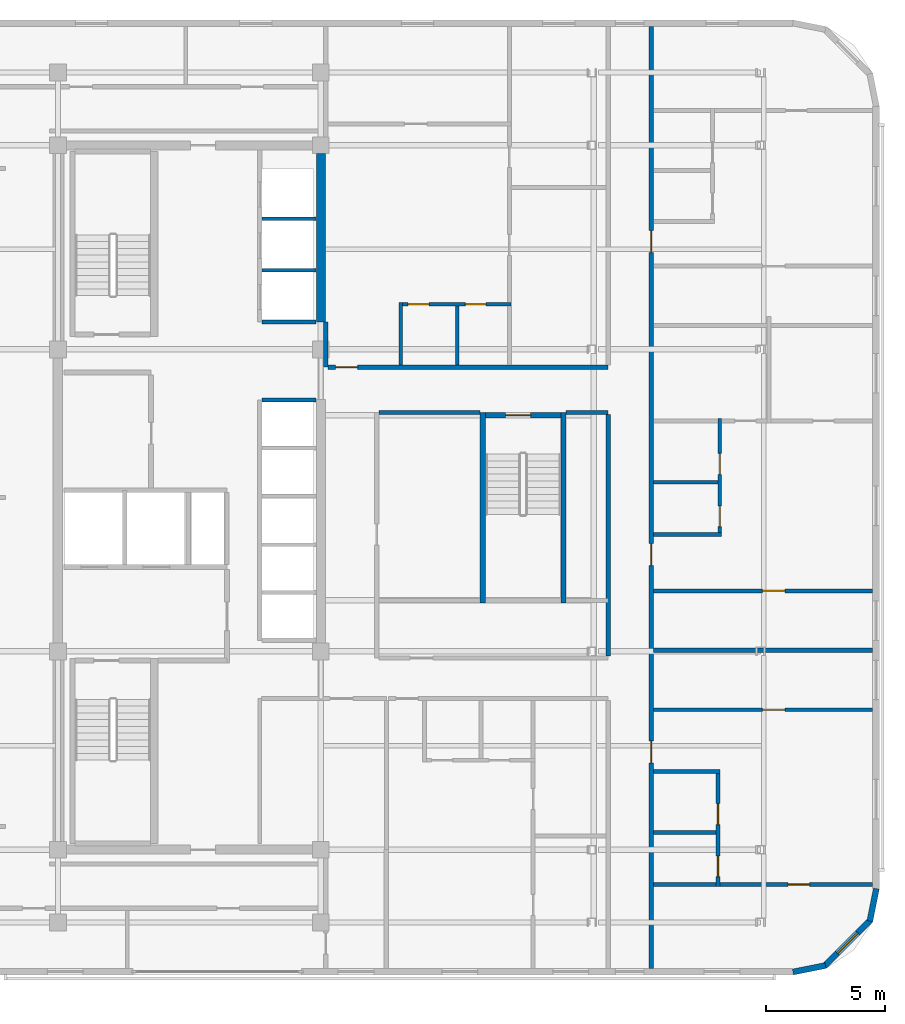
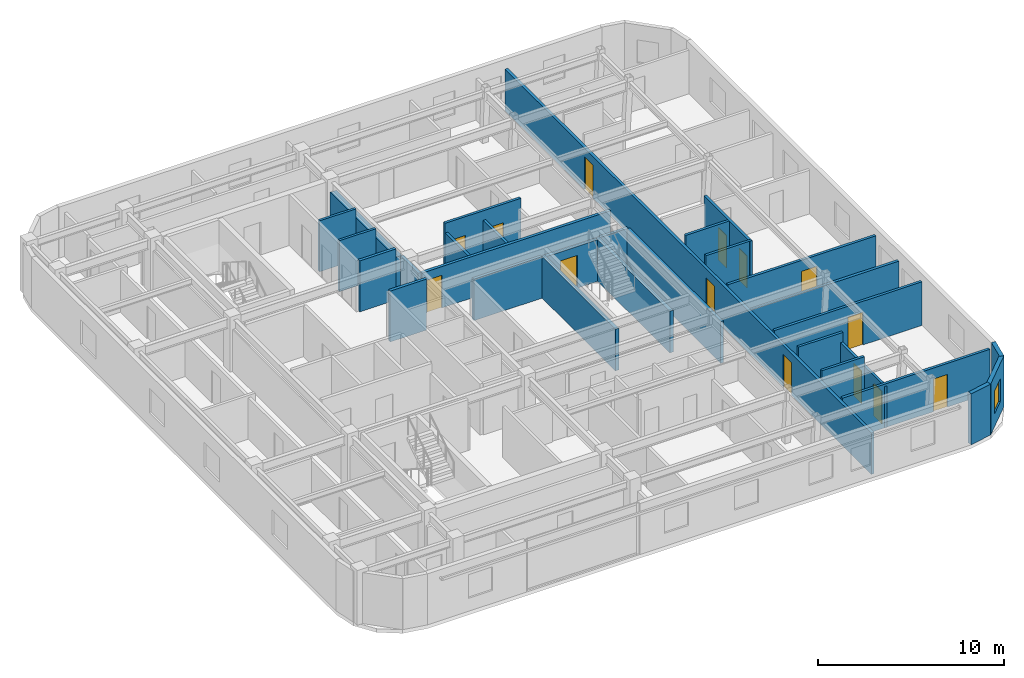
# One storey, part 6 of 11: 30 walls, 14 doors, 1 window, 15 openings.
"""IFC4 building model written with IfcOpenShell, lengths in metres."""

from ifc_helpers import new_model, si_unit, direction, frame, frame_2d, origin, place, context, subcontext, project, spatial, rectangle, extrude, material, layer, layer_set, type_object, element, fill, save


model = new_model("IFC4")

# Units and contexts
model_context = context("Model", 3, precision=1e-05, world=origin(), true_north=direction((0.0, 1.0)))
body_context = subcontext(model_context, "Body", "Model", "MODEL_VIEW")
ifc_project = project(units=[si_unit("LENGTHUNIT", "METRE"), si_unit("AREAUNIT", "SQUARE_METRE"), si_unit("VOLUMEUNIT", "CUBIC_METRE"), si_unit("PLANEANGLEUNIT", "RADIAN"), si_unit("MASSUNIT", "GRAM", prefix="KILO")], contexts=[model_context])

# Site, building, storey
site_placement = place(None, origin())
site = spatial("IfcSite", under=ifc_project, at=site_placement, CompositionType="ELEMENT")
building_placement = place(site_placement, origin())
building = spatial("IfcBuilding", under=site, at=building_placement, Name="Ochreholt Gables", CompositionType="ELEMENT")
storey_placement = place(building_placement, frame((0.0, 0.0, 188.39990234375)))
storey = spatial("IfcBuildingStorey", under=building, at=storey_placement, Name="L49", CompositionType="ELEMENT", Elevation=188.39990234375)

# Walls
ifc_material_1 = material(Name="Concrete 50 MPa", Category="concrete")
ifc_layer_1 = layer(ifc_material_1, 0.3798828125, Name="Concrete 50 MPa")
ifc_layer_set_1 = layer_set([ifc_layer_1], Name="Concrete 50 MPa")
wall_type_1 = type_object("IfcWallType", Name="WALL-CSW-380", PredefinedType="SHEAR", material=ifc_layer_set_1)
wall_1_placement = place(storey_placement, frame((35.2099609375, 31.35009765625, 0.0), z_axis=(0.0, 0.0, 1.0), x_axis=(0.0, 1.0, 0.0)))
element("IfcWall", 1, at=wall_1_placement, inside=storey, type_object=wall_type_1, Name="L49 Core North-East Shear Wall", PredefinedType="SHEAR", context=body_context, shape_type="SweptSolid", body=[
    extrude(rectangle(XDim=7.0498046875, YDim=0.3798828125, at=frame_2d((3.52490234375, 0.0))), origin(), (0.0, 0.0, 1.0), 2.738037109375),
])
ifc_material_2 = material(Name="Precast concrete 40 MPa", Category="concrete")
ifc_layer_2 = layer(ifc_material_2, 0.25, Name="Precast concrete 40 MPa")
ifc_layer_set_2 = layer_set([ifc_layer_2], Name="Precast concrete 40 MPa")
wall_type_2 = type_object("IfcWallType", Name="WALL-EXT-CNR", PredefinedType="SOLIDWALL", material=ifc_layer_set_2)
wall_2_placement = place(storey_placement, frame((54.9833984375, 4.124267578125, 0.0), z_axis=(0.0, 0.0, 1.0), x_axis=(0.980809899341, 0.19496651342, 0.0)))
element("IfcWall", 2, at=wall_2_placement, inside=storey, type_object=wall_type_2, Name="L49 Rounded Corner Wall SE-1", PredefinedType="SOLIDWALL", context=body_context, shape_type="SweptSolid", body=[
    extrude(rectangle(XDim=1.388671875, YDim=0.25, at=frame_2d((0.6943359375, 0.0))), origin(), (0.0, 0.0, 1.0), 3.35009765625),
])

# Wall, opening, window
wall_3_placement = place(storey_placement, frame((56.294921875, 4.367919921875, 0.0), z_axis=(0.0, 0.0, 1.0), x_axis=(0.707106781187, 0.707106781187, 0.0)))
wall_3 = element("IfcWall", 3, at=wall_3_placement, inside=storey, type_object=wall_type_2, Name="L49 Rounded Corner Wall SE-2", PredefinedType="SOLIDWALL", context=body_context, shape_type="SweptSolid", body=[
    extrude(rectangle(XDim=2.7392578125, YDim=0.25, at=frame_2d((1.36962890625, 0.0))), origin(), (0.0, 0.0, 1.0), 3.35009765625),
])
opening_1_placement = place(wall_3_placement, frame((0.769775390625, 0.0, 0.85009765625)))
opening_1 = element("IfcOpeningElement", 4, at=opening_1_placement, cuts=wall_3, Name="Opening WN-3", PredefinedType="OPENING", context=body_context, shape_type="SweptSolid", body=[
    extrude(rectangle(XDim=1.199951171875, YDim=1.5, at=frame_2d((0.60009765625, 0.75))), frame((0.0, 0.135009765625, 0.0), z_axis=(0.0, -1.0, 0.0), x_axis=(1.0, 0.0, 0.0)), (0.0, 0.0, 1.0), 0.27001953125),
])
ifc_material_3 = material(Name="Triple-Glazed Thermally Broken Aluminium Window", Category="aluminium")
window_type = type_object("IfcWindowType", Name="WIN-RES-1200", PartitioningType="SINGLE_PANEL", PredefinedType="WINDOW", material=ifc_material_3)
window_placement = place(opening_1_placement, origin())
window = element("IfcWindow", 5, at=window_placement, inside=storey, type_object=window_type, Name="L49 Corner Bedroom Window SE", OverallHeight=1.5, OverallWidth=1.199951171875, PartitioningType="SINGLE_PANEL", PredefinedType="WINDOW", context=body_context, shape_type="SweptSolid", body=[
    extrude(rectangle(XDim=1.199951171875, YDim=1.5, at=frame_2d((0.60009765625, 0.75))), frame((0.0, 0.030029296875, 0.0), z_axis=(0.0, -1.0, 0.0), x_axis=(1.0, 0.0, 0.0)), (0.0, 0.0, 1.0), 0.06005859375),
])
fill(opening_1, window)

# Walls
wall_4_placement = place(storey_placement, frame((58.205078125, 6.25439453125, 0.0), z_axis=(0.0, 0.0, 1.0), x_axis=(0.19496651342, 0.980809899341, 0.0)))
element("IfcWall", 6, at=wall_4_placement, inside=storey, type_object=wall_type_2, Name="L49 Rounded Corner Wall SE-3", PredefinedType="SOLIDWALL", context=body_context, shape_type="SweptSolid", body=[
    extrude(rectangle(XDim=1.388671875, YDim=0.25, at=frame_2d((0.6943359375, 0.0))), origin(), (0.0, 0.0, 1.0), 3.35009765625),
])
ifc_material_4 = material(Name="Fire-Rated Gypsum Acoustic Partition", Category="gypsum")
ifc_layer_3 = layer(ifc_material_4, 0.179931640625, Name="Fire-Rated Gypsum Acoustic Partition")
ifc_layer_set_3 = layer_set([ifc_layer_3], Name="Fire-Rated Gypsum Acoustic Partition")
wall_type_3 = type_object("IfcWallType", Name="WALL-INT-CR180", PredefinedType="STANDARD", material=ifc_layer_set_3)
wall_5_placement = place(storey_placement, frame((37.639892578125, 27.56005859375, 0.0), z_axis=(0.0, 0.0, 1.0), x_axis=(1.0, 0.0, 0.0)))
element("IfcWall", 7, at=wall_5_placement, inside=storey, type_object=wall_type_3, Name="L49 Interior Wall WI-C2SN1W-L49", PredefinedType="STANDARD", context=body_context, shape_type="SweptSolid", body=[
    extrude(rectangle(XDim=4.239990234375, YDim=0.179931640625, at=frame_2d((2.1201171875, 0.0))), origin(), (0.0, 0.0, 1.0), 2.72021484375),
])
wall_6_placement = place(storey_placement, frame((45.47998046875, 27.56005859375, 0.0), z_axis=(0.0, 0.0, 1.0), x_axis=(1.0, 0.0, 0.0)))
element("IfcWall", 8, at=wall_6_placement, inside=storey, type_object=wall_type_3, Name="L49 Interior Wall WI-C2SN1-L49", PredefinedType="STANDARD", context=body_context, shape_type="SweptSolid", body=[
    extrude(rectangle(XDim=1.762939453125, YDim=0.179931640625, at=frame_2d((0.88134765625, 0.0))), origin(), (0.0, 0.0, 1.0), 2.72021484375),
])
wall_7_placement = place(storey_placement, frame((35.419921875, 29.4599609375, 0.0), z_axis=(0.0, 0.0, 1.0), x_axis=(0.0, 1.0, 0.0)))
element("IfcWall", 9, at=wall_7_placement, inside=storey, type_object=wall_type_3, Name="L49 Interior Wall WI-C2NCL-L49", PredefinedType="STANDARD", context=body_context, shape_type="SweptSolid", body=[
    extrude(rectangle(XDim=1.89013671875, YDim=0.179931640625, at=frame_2d((0.945068359375, 0.0))), origin(), (0.0, 0.0, 1.0), 2.72021484375),
])

# Wall, opening, door
wall_8_placement = place(storey_placement, frame((35.510009765625, 29.4599609375, 0.0), z_axis=(0.0, 0.0, 1.0), x_axis=(1.0, 0.0, 0.0)))
wall_8 = element("IfcWall", 10, at=wall_8_placement, inside=storey, type_object=wall_type_3, Name="L49 Interior Wall WI-C2SN2-L49", PredefinedType="STANDARD", context=body_context, shape_type="SweptSolid", body=[
    extrude(rectangle(XDim=11.73291015625, YDim=0.179931640625, at=frame_2d((5.866455078125, 0.0))), origin(), (0.0, 0.0, 1.0), 2.72021484375),
])
opening_2_placement = place(wall_8_placement, frame((0.320068359375, 0.0, 0.0)))
opening_2 = element("IfcOpeningElement", 11, at=opening_2_placement, cuts=wall_8, Name="Opening D-UN1", PredefinedType="OPENING", context=body_context, shape_type="SweptSolid", body=[
    extrude(rectangle(XDim=0.919921875, YDim=2.14990234375, at=frame_2d((0.4599609375, 1.074951171875))), frame((0.0, 0.099853515625, 0.0), z_axis=(0.0, -1.0, 0.0), x_axis=(1.0, 0.0, 0.0)), (0.0, 0.0, 1.0), 0.199951171875),
])
ifc_material_5 = material(Name="Engineered Oak Timber", Category="wood")
door_type_1 = type_object("IfcDoorType", Name="DR-INT-UNT920", OperationType="NOTDEFINED", PredefinedType="DOOR", material=ifc_material_5)
door_1_placement = place(opening_2_placement, origin())
door_1 = element("IfcDoor", 12, at=door_1_placement, inside=storey, type_object=door_type_1, Name="L49 Door D-U-L49N1-ENT", OperationType="SINGLE_SWING_LEFT", OverallHeight=2.14990234375, OverallWidth=0.919921875, PredefinedType="DOOR", context=body_context, shape_type="SweptSolid", body=[
    extrude(rectangle(XDim=0.919921875, YDim=2.14990234375, at=frame_2d((0.4599609375, 1.074951171875))), frame((0.0, 0.02490234375, 0.0), z_axis=(0.0, -1.0, 0.0), x_axis=(1.0, 0.0, 0.0)), (0.0, 0.0, 1.0), 0.050048828125),
])
fill(opening_2, door_1)

# Wall, openings, doors
wall_9_placement = place(storey_placement, frame((49.04296875, 4.280029296875, 0.0), z_axis=(0.0, 0.0, 1.0), x_axis=(0.0, 1.0, 0.0)))
wall_9 = element("IfcWall", 13, at=wall_9_placement, inside=storey, type_object=wall_type_3, Name="L49 Interior Wall WI-C2FEG-L49", PredefinedType="STANDARD", context=body_context, shape_type="SweptSolid", body=[
    extrude(rectangle(XDim=39.43994140625, YDim=0.179931640625, at=frame_2d((19.719970703125, 0.0))), origin(), (0.0, 0.0, 1.0), 2.72021484375),
])
opening_3_placement = place(wall_9_placement, frame((8.60546875, 0.0, 0.0)))
opening_3 = element("IfcOpeningElement", 14, at=opening_3_placement, cuts=wall_9, Name="Opening D-UN1", PredefinedType="OPENING", context=body_context, shape_type="SweptSolid", body=[
    extrude(rectangle(XDim=0.919921875, YDim=2.14990234375, at=frame_2d((0.4599609375, 1.074951171875))), frame((0.0, 0.099853515625, 0.0), z_axis=(0.0, -1.0, 0.0), x_axis=(1.0, 0.0, 0.0)), (0.0, 0.0, 1.0), 0.199951171875),
])
opening_4_placement = place(wall_9_placement, frame((16.865966796875, 0.0, 0.0)))
opening_4 = element("IfcOpeningElement", 15, at=opening_4_placement, cuts=wall_9, Name="Opening D-UN1", PredefinedType="OPENING", context=body_context, shape_type="SweptSolid", body=[
    extrude(rectangle(XDim=0.919921875, YDim=2.14990234375, at=frame_2d((0.4599609375, 1.074951171875))), frame((0.0, 0.099853515625, 0.0), z_axis=(0.0, -1.0, 0.0), x_axis=(1.0, 0.0, 0.0)), (0.0, 0.0, 1.0), 0.199951171875),
])
opening_5_placement = place(wall_9_placement, frame((29.97998046875, 0.0, 0.0)))
opening_5 = element("IfcOpeningElement", 16, at=opening_5_placement, cuts=wall_9, Name="Opening D-UN1", PredefinedType="OPENING", context=body_context, shape_type="SweptSolid", body=[
    extrude(rectangle(XDim=0.919921875, YDim=2.14990234375, at=frame_2d((0.4599609375, 1.074951171875))), frame((0.0, 0.099853515625, 0.0), z_axis=(0.0, -1.0, 0.0), x_axis=(1.0, 0.0, 0.0)), (0.0, 0.0, 1.0), 0.199951171875),
])
door_2_placement = place(opening_3_placement, origin())
door_2 = element("IfcDoor", 17, at=door_2_placement, inside=storey, type_object=door_type_1, Name="L49 Door D-U-L49FE1-ENT", OperationType="SINGLE_SWING_RIGHT", OverallHeight=2.14990234375, OverallWidth=0.919921875, PredefinedType="DOOR", context=body_context, shape_type="SweptSolid", body=[
    extrude(rectangle(XDim=0.919921875, YDim=2.14990234375, at=frame_2d((0.4599609375, 1.074951171875))), frame((0.0, 0.02490234375, 0.0), z_axis=(0.0, -1.0, 0.0), x_axis=(1.0, 0.0, 0.0)), (0.0, 0.0, 1.0), 0.050048828125),
])
fill(opening_3, door_2)
door_3_placement = place(opening_4_placement, origin())
door_3 = element("IfcDoor", 18, at=door_3_placement, inside=storey, type_object=door_type_1, Name="L49 Door D-U-L49FE2-ENT", OperationType="SINGLE_SWING_LEFT", OverallHeight=2.14990234375, OverallWidth=0.919921875, PredefinedType="DOOR", context=body_context, shape_type="SweptSolid", body=[
    extrude(rectangle(XDim=0.919921875, YDim=2.14990234375, at=frame_2d((0.4599609375, 1.074951171875))), frame((0.0, 0.02490234375, 0.0), z_axis=(0.0, -1.0, 0.0), x_axis=(1.0, 0.0, 0.0)), (0.0, 0.0, 1.0), 0.050048828125),
])
fill(opening_4, door_3)
door_4_placement = place(opening_5_placement, origin())
door_4 = element("IfcDoor", 19, at=door_4_placement, inside=storey, type_object=door_type_1, Name="L49 Door D-U-L49FE3-ENT", OperationType="SINGLE_SWING_RIGHT", OverallHeight=2.14990234375, OverallWidth=0.919921875, PredefinedType="DOOR", context=body_context, shape_type="SweptSolid", body=[
    extrude(rectangle(XDim=0.919921875, YDim=2.14990234375, at=frame_2d((0.4599609375, 1.074951171875))), frame((0.0, 0.02490234375, 0.0), z_axis=(0.0, -1.0, 0.0), x_axis=(1.0, 0.0, 0.0)), (0.0, 0.0, 1.0), 0.050048828125),
])
fill(opening_5, door_4)

# Walls
wall_10_placement = place(storey_placement, frame((47.242919921875, 17.3701171875, 0.0), z_axis=(0.0, 0.0, 1.0), x_axis=(0.0, 1.0, 0.0)))
element("IfcWall", 20, at=wall_10_placement, inside=storey, type_object=wall_type_3, Name="L49 Interior Wall WI-C2FEGW2-L49", PredefinedType="STANDARD", context=body_context, shape_type="SweptSolid", body=[
    extrude(rectangle(XDim=10.099853515625, YDim=0.179931640625, at=frame_2d((5.0498046875, 0.0))), origin(), (0.0, 0.0, 1.0), 2.72021484375),
])
ifc_material_6 = material(Name="Double-Stud Acoustic Demising Wall", Category="gypsum")
ifc_layer_4 = layer(ifc_material_6, 0.179931640625, Name="Double-Stud Acoustic Demising Wall")
ifc_layer_set_4 = layer_set([ifc_layer_4], Name="Double-Stud Acoustic Demising Wall")
wall_type_4 = type_object("IfcWallType", Name="WALL-INT-DM180", PredefinedType="PARTITIONING", material=ifc_layer_set_4)
wall_11_placement = place(storey_placement, frame((49.133056640625, 17.60009765625, 0.0), z_axis=(0.0, 0.0, 1.0), x_axis=(1.0, 0.0, 0.0)))
element("IfcWall", 21, at=wall_11_placement, inside=storey, type_object=wall_type_4, Name="L49 Interior Wall WI-C2FED2-L49", PredefinedType="PARTITIONING", context=body_context, shape_type="SweptSolid", body=[
    extrude(rectangle(XDim=9.18701171875, YDim=0.179931640625, at=frame_2d((4.593505859375, 0.0))), origin(), (0.0, 0.0, 1.0), 2.72021484375),
])

# Wall, openings, doors
ifc_material_7 = material(Name="Moisture-Resistant Plumbing Chase Wall", Category="gypsum")
ifc_layer_5 = layer(ifc_material_7, 0.159912109375, Name="Moisture-Resistant Plumbing Chase Wall")
ifc_layer_set_5 = layer_set([ifc_layer_5], Name="Moisture-Resistant Plumbing Chase Wall")
wall_type_5 = type_object("IfcWallType", Name="WALL-INT-PL160", PredefinedType="PLUMBINGWALL", material=ifc_layer_set_5)
wall_12_placement = place(storey_placement, frame((38.472900390625, 32.094970703125, 0.0), z_axis=(0.0, 0.0, 1.0), x_axis=(1.0, 0.0, 0.0)))
wall_12 = element("IfcWall", 22, at=wall_12_placement, inside=storey, type_object=wall_type_5, Name="L49 Interior Wall WU-L49N1-WY", PredefinedType="PLUMBINGWALL", context=body_context, shape_type="SweptSolid", body=[
    extrude(rectangle(XDim=4.710205078125, YDim=0.159912109375, at=frame_2d((2.35498046875, 0.0))), origin(), (0.0, 0.0, 1.0), 3.35009765625),
])
opening_6_placement = place(wall_12_placement, frame((0.3798828125, 0.0, 0.0)))
opening_6 = element("IfcOpeningElement", 23, at=opening_6_placement, cuts=wall_12, Name="Opening D-GN2", PredefinedType="OPENING", context=body_context, shape_type="SweptSolid", body=[
    extrude(rectangle(XDim=0.8798828125, YDim=2.1201171875, at=frame_2d((0.43994140625, 1.06005859375))), frame((0.0, 0.08984375, 0.0), z_axis=(0.0, -1.0, 0.0), x_axis=(1.0, 0.0, 0.0)), (0.0, 0.0, 1.0), 0.179931640625),
])
opening_7_placement = place(wall_12_placement, frame((2.785888671875, 0.0, 0.0)))
opening_7 = element("IfcOpeningElement", 24, at=opening_7_placement, cuts=wall_12, Name="Opening D-BT1", PredefinedType="OPENING", context=body_context, shape_type="SweptSolid", body=[
    extrude(rectangle(XDim=0.860107421875, YDim=2.1201171875, at=frame_2d((0.43017578125, 1.06005859375))), frame((0.0, 0.08984375, 0.0), z_axis=(0.0, -1.0, 0.0), x_axis=(1.0, 0.0, 0.0)), (0.0, 0.0, 1.0), 0.179931640625),
])
door_type_2 = type_object("IfcDoorType", Name="DR-INT-BTH860", OperationType="NOTDEFINED", PredefinedType="DOOR", material=ifc_material_5)
door_5_placement = place(opening_7_placement, origin())
door_5 = element("IfcDoor", 25, at=door_5_placement, inside=storey, type_object=door_type_2, Name="L49 Door D-U-L49N1-BTH", OperationType="SINGLE_SWING_LEFT", OverallHeight=2.1201171875, OverallWidth=0.860107421875, PredefinedType="DOOR", context=body_context, shape_type="SweptSolid", body=[
    extrude(rectangle(XDim=0.860107421875, YDim=2.1201171875, at=frame_2d((0.43017578125, 1.06005859375))), frame((0.0, 0.02490234375, 0.0), z_axis=(0.0, -1.0, 0.0), x_axis=(1.0, 0.0, 0.0)), (0.0, 0.0, 1.0), 0.050048828125),
])
fill(opening_7, door_5)
door_type_3 = type_object("IfcDoorType", Name="DR-INT-GEN880", OperationType="NOTDEFINED", PredefinedType="DOOR", material=ifc_material_5)
door_6_placement = place(opening_6_placement, origin())
door_6 = element("IfcDoor", 26, at=door_6_placement, inside=storey, type_object=door_type_3, Name="L49 Door D-U-L49N1-KIT", OperationType="SINGLE_SWING_RIGHT", OverallHeight=2.1201171875, OverallWidth=0.8798828125, PredefinedType="DOOR", context=body_context, shape_type="SweptSolid", body=[
    extrude(rectangle(XDim=0.8798828125, YDim=2.1201171875, at=frame_2d((0.43994140625, 1.06005859375))), frame((0.0, 0.02490234375, 0.0), z_axis=(0.0, -1.0, 0.0), x_axis=(1.0, 0.0, 0.0)), (0.0, 0.0, 1.0), 0.050048828125),
])
fill(opening_6, door_6)

# Walls
wall_13_placement = place(storey_placement, frame((38.552978515625, 29.550048828125, 0.0), z_axis=(0.0, 0.0, 1.0), x_axis=(0.0, 1.0, 0.0)))
element("IfcWall", 27, at=wall_13_placement, inside=storey, type_object=wall_type_5, Name="L49 Interior Wall WU-L49N1-FY", PredefinedType="PLUMBINGWALL", context=body_context, shape_type="SweptSolid", body=[
    extrude(rectangle(XDim=2.625, YDim=0.159912109375, at=frame_2d((1.3125, 0.0))), origin(), (0.0, 0.0, 1.0), 2.72021484375),
])
wall_14_placement = place(storey_placement, frame((40.9189453125, 29.550048828125, 0.0), z_axis=(0.0, 0.0, 1.0), x_axis=(0.0, 1.0, 0.0)))
element("IfcWall", 28, at=wall_14_placement, inside=storey, type_object=wall_type_5, Name="L49 Interior Wall WU-L49N1-WK", PredefinedType="PLUMBINGWALL", context=body_context, shape_type="SweptSolid", body=[
    extrude(rectangle(XDim=2.46484375, YDim=0.159912109375, at=frame_2d((1.232421875, 0.0))), origin(), (0.0, 0.0, 1.0), 2.72021484375),
])
wall_15_placement = place(storey_placement, frame((49.133056640625, 12.525390625, 0.0), z_axis=(0.0, 0.0, 1.0), x_axis=(1.0, 0.0, 0.0)))
element("IfcWall", 29, at=wall_15_placement, inside=storey, type_object=wall_type_5, Name="L49 Interior Wall WU-L49FE1-FYN", PredefinedType="PLUMBINGWALL", context=body_context, shape_type="SweptSolid", body=[
    extrude(rectangle(XDim=2.787841796875, YDim=0.159912109375, at=frame_2d((1.39404296875, 0.0))), origin(), (0.0, 0.0, 1.0), 3.35009765625),
])

# Wall, openings, doors
wall_16_placement = place(storey_placement, frame((51.841064453125, 7.699951171875, 0.0), z_axis=(0.0, 0.0, 1.0), x_axis=(0.0, 1.0, 0.0)))
wall_16 = element("IfcWall", 30, at=wall_16_placement, inside=storey, type_object=wall_type_5, Name="L49 Interior Wall WU-L49FE1-WX", PredefinedType="PLUMBINGWALL", context=body_context, shape_type="SweptSolid", body=[
    extrude(rectangle(XDim=4.91552734375, YDim=0.159912109375, at=frame_2d((2.457763671875, 0.0))), origin(), (0.0, 0.0, 1.0), 2.72021484375),
])
opening_8_placement = place(wall_16_placement, frame((0.419921875, 0.0, 0.0)))
opening_8 = element("IfcOpeningElement", 31, at=opening_8_placement, cuts=wall_16, Name="Opening D-BT1", PredefinedType="OPENING", context=body_context, shape_type="SweptSolid", body=[
    extrude(rectangle(XDim=0.860107421875, YDim=2.1201171875, at=frame_2d((0.43017578125, 1.06005859375))), frame((0.0, 0.08984375, 0.0), z_axis=(0.0, -1.0, 0.0), x_axis=(1.0, 0.0, 0.0)), (0.0, 0.0, 1.0), 0.179931640625),
])
opening_9_placement = place(wall_16_placement, frame((2.598388671875, 0.0, 0.0)))
opening_9 = element("IfcOpeningElement", 32, at=opening_9_placement, cuts=wall_16, Name="Opening D-GN2", PredefinedType="OPENING", context=body_context, shape_type="SweptSolid", body=[
    extrude(rectangle(XDim=0.8798828125, YDim=2.1201171875, at=frame_2d((0.43994140625, 1.06005859375))), frame((0.0, 0.08984375, 0.0), z_axis=(0.0, -1.0, 0.0), x_axis=(1.0, 0.0, 0.0)), (0.0, 0.0, 1.0), 0.179931640625),
])
door_7_placement = place(opening_8_placement, origin())
door_7 = element("IfcDoor", 33, at=door_7_placement, inside=storey, type_object=door_type_2, Name="L49 Door D-U-L49FE1-BTH", OperationType="SINGLE_SWING_LEFT", OverallHeight=2.1201171875, OverallWidth=0.860107421875, PredefinedType="DOOR", context=body_context, shape_type="SweptSolid", body=[
    extrude(rectangle(XDim=0.860107421875, YDim=2.1201171875, at=frame_2d((0.43017578125, 1.06005859375))), frame((0.0, 0.02490234375, 0.0), z_axis=(0.0, -1.0, 0.0), x_axis=(1.0, 0.0, 0.0)), (0.0, 0.0, 1.0), 0.050048828125),
])
fill(opening_8, door_7)
door_8_placement = place(opening_9_placement, origin())
door_8 = element("IfcDoor", 34, at=door_8_placement, inside=storey, type_object=door_type_3, Name="L49 Door D-U-L49FE1-KIT", OperationType="SINGLE_SWING_RIGHT", OverallHeight=2.1201171875, OverallWidth=0.8798828125, PredefinedType="DOOR", context=body_context, shape_type="SweptSolid", body=[
    extrude(rectangle(XDim=0.8798828125, YDim=2.1201171875, at=frame_2d((0.43994140625, 1.06005859375))), frame((0.0, 0.02490234375, 0.0), z_axis=(0.0, -1.0, 0.0), x_axis=(1.0, 0.0, 0.0)), (0.0, 0.0, 1.0), 0.050048828125),
])
fill(opening_9, door_8)

# Walls
wall_17_placement = place(storey_placement, frame((49.133056640625, 9.96826171875, 0.0), z_axis=(0.0, 0.0, 1.0), x_axis=(1.0, 0.0, 0.0)))
element("IfcWall", 35, at=wall_17_placement, inside=storey, type_object=wall_type_5, Name="L49 Interior Wall WU-L49FE1-WK", PredefinedType="PLUMBINGWALL", context=body_context, shape_type="SweptSolid", body=[
    extrude(rectangle(XDim=2.6279296875, YDim=0.159912109375, at=frame_2d((1.31396484375, 0.0))), origin(), (0.0, 0.0, 1.0), 3.35009765625),
])
wall_18_placement = place(storey_placement, frame((49.133056640625, 22.446044921875, 0.0), z_axis=(0.0, 0.0, 1.0), x_axis=(1.0, 0.0, 0.0)))
element("IfcWall", 36, at=wall_18_placement, inside=storey, type_object=wall_type_5, Name="L49 Interior Wall WU-L49FE2-FYS", PredefinedType="PLUMBINGWALL", context=body_context, shape_type="SweptSolid", body=[
    extrude(rectangle(XDim=2.864013671875, YDim=0.159912109375, at=frame_2d((1.43212890625, 0.0))), origin(), (0.0, 0.0, 1.0), 3.35009765625),
])

# Wall, openings, doors
wall_19_placement = place(storey_placement, frame((51.9169921875, 22.35595703125, 0.0), z_axis=(0.0, 0.0, 1.0), x_axis=(0.0, 1.0, 0.0)))
wall_19 = element("IfcWall", 37, at=wall_19_placement, inside=storey, type_object=wall_type_5, Name="L49 Interior Wall WU-L49FE2-WX", PredefinedType="PLUMBINGWALL", context=body_context, shape_type="SweptSolid", body=[
    extrude(rectangle(XDim=4.944091796875, YDim=0.159912109375, at=frame_2d((2.47216796875, 0.0))), origin(), (0.0, 0.0, 1.0), 3.35009765625),
])
opening_10_placement = place(wall_19_placement, frame((0.419921875, 0.0, 0.0)))
opening_10 = element("IfcOpeningElement", 38, at=opening_10_placement, cuts=wall_19, Name="Opening D-BT1", PredefinedType="OPENING", context=body_context, shape_type="SweptSolid", body=[
    extrude(rectangle(XDim=0.860107421875, YDim=2.1201171875, at=frame_2d((0.43017578125, 1.06005859375))), frame((0.0, 0.08984375, 0.0), z_axis=(0.0, -1.0, 0.0), x_axis=(1.0, 0.0, 0.0)), (0.0, 0.0, 1.0), 0.179931640625),
])
opening_11_placement = place(wall_19_placement, frame((2.611328125, 0.0, 0.0)))
opening_11 = element("IfcOpeningElement", 39, at=opening_11_placement, cuts=wall_19, Name="Opening D-GN2", PredefinedType="OPENING", context=body_context, shape_type="SweptSolid", body=[
    extrude(rectangle(XDim=0.8798828125, YDim=2.1201171875, at=frame_2d((0.43994140625, 1.06005859375))), frame((0.0, 0.08984375, 0.0), z_axis=(0.0, -1.0, 0.0), x_axis=(1.0, 0.0, 0.0)), (0.0, 0.0, 1.0), 0.179931640625),
])
door_9_placement = place(opening_10_placement, origin())
door_9 = element("IfcDoor", 40, at=door_9_placement, inside=storey, type_object=door_type_2, Name="L49 Door D-U-L49FE2-BTH", OperationType="SINGLE_SWING_RIGHT", OverallHeight=2.1201171875, OverallWidth=0.860107421875, PredefinedType="DOOR", context=body_context, shape_type="SweptSolid", body=[
    extrude(rectangle(XDim=0.860107421875, YDim=2.1201171875, at=frame_2d((0.43017578125, 1.06005859375))), frame((0.0, 0.02490234375, 0.0), z_axis=(0.0, -1.0, 0.0), x_axis=(1.0, 0.0, 0.0)), (0.0, 0.0, 1.0), 0.050048828125),
])
fill(opening_10, door_9)
door_10_placement = place(opening_11_placement, origin())
door_10 = element("IfcDoor", 41, at=door_10_placement, inside=storey, type_object=door_type_3, Name="L49 Door D-U-L49FE2-KIT", OperationType="SINGLE_SWING_LEFT", OverallHeight=2.1201171875, OverallWidth=0.8798828125, PredefinedType="DOOR", context=body_context, shape_type="SweptSolid", body=[
    extrude(rectangle(XDim=0.8798828125, YDim=2.1201171875, at=frame_2d((0.43994140625, 1.06005859375))), frame((0.0, 0.02490234375, 0.0), z_axis=(0.0, -1.0, 0.0), x_axis=(1.0, 0.0, 0.0)), (0.0, 0.0, 1.0), 0.050048828125),
])
fill(opening_11, door_10)

# Wall
wall_20_placement = place(storey_placement, frame((49.133056640625, 24.637451171875, 0.0), z_axis=(0.0, 0.0, 1.0), x_axis=(1.0, 0.0, 0.0)))
element("IfcWall", 42, at=wall_20_placement, inside=storey, type_object=wall_type_5, Name="L49 Interior Wall WU-L49FE2-WK", PredefinedType="PLUMBINGWALL", context=body_context, shape_type="SweptSolid", body=[
    extrude(rectangle(XDim=2.703857421875, YDim=0.159912109375, at=frame_2d((1.35205078125, 0.0))), origin(), (0.0, 0.0, 1.0), 3.35009765625),
])

# Wall, opening, door
ifc_material_8 = material(Name="Gypsum Acoustic Stud Partition", Category="gypsum")
ifc_layer_6 = layer(ifc_material_8, 0.1650390625, Name="Gypsum Acoustic Stud Partition")
ifc_layer_set_6 = layer_set([ifc_layer_6], Name="Gypsum Acoustic Stud Partition")
wall_type_6 = type_object("IfcWallType", Name="WALL-INT-PT165", PredefinedType="PARTITIONING", material=ifc_layer_set_6)
wall_21_placement = place(storey_placement, frame((49.133056640625, 7.7900390625, 0.0), z_axis=(0.0, 0.0, 1.0), x_axis=(1.0, 0.0, 0.0)))
wall_21 = element("IfcWall", 43, at=wall_21_placement, inside=storey, type_object=wall_type_6, Name="L49 Interior Wall WU-L49FE1-MN", PredefinedType="PARTITIONING", context=body_context, shape_type="SweptSolid", body=[
    extrude(rectangle(XDim=9.18701171875, YDim=0.1650390625, at=frame_2d((4.593505859375, 0.0))), origin(), (0.0, 0.0, 1.0), 2.869140625),
])
opening_12_placement = place(wall_21_placement, frame((5.652587890625, 0.0, 0.0)))
opening_12 = element("IfcOpeningElement", 44, at=opening_12_placement, cuts=wall_21, Name="Opening D-BD1", PredefinedType="OPENING", context=body_context, shape_type="SweptSolid", body=[
    extrude(rectangle(XDim=0.89990234375, YDim=2.139892578125, at=frame_2d((0.449951171875, 1.06982421875))), frame((0.0, 0.092529296875, 0.0), z_axis=(0.0, -1.0, 0.0), x_axis=(1.0, 0.0, 0.0)), (0.0, 0.0, 1.0), 0.18505859375),
])
door_type_4 = type_object("IfcDoorType", Name="DR-INT-BED900", OperationType="NOTDEFINED", PredefinedType="DOOR", material=ifc_material_5)
door_11_placement = place(opening_12_placement, origin())
door_11 = element("IfcDoor", 45, at=door_11_placement, inside=storey, type_object=door_type_4, Name="L49 Door D-U-L49FE1-BD1", OperationType="SINGLE_SWING_LEFT", OverallHeight=2.139892578125, OverallWidth=0.89990234375, PredefinedType="DOOR", context=body_context, shape_type="SweptSolid", body=[
    extrude(rectangle(XDim=0.89990234375, YDim=2.139892578125, at=frame_2d((0.449951171875, 1.06982421875))), frame((0.0, 0.02490234375, 0.0), z_axis=(0.0, -1.0, 0.0), x_axis=(1.0, 0.0, 0.0)), (0.0, 0.0, 1.0), 0.050048828125),
])
fill(opening_12, door_11)

wall_22_placement = place(storey_placement, frame((49.133056640625, 15.110107421875, 0.0), z_axis=(0.0, 0.0, 1.0), x_axis=(1.0, 0.0, 0.0)))
wall_22 = element("IfcWall", 46, at=wall_22_placement, inside=storey, type_object=wall_type_6, Name="L49 Interior Wall WU-L49FE1-DNW", PredefinedType="PARTITIONING", context=body_context, shape_type="SweptSolid", body=[
    extrude(rectangle(XDim=9.18701171875, YDim=0.1650390625, at=frame_2d((4.593505859375, 0.0))), origin(), (0.0, 0.0, 1.0), 2.869140625),
])
opening_13_placement = place(wall_22_placement, frame((4.568603515625, 0.0, 0.0)))
opening_13 = element("IfcOpeningElement", 47, at=opening_13_placement, cuts=wall_22, Name="Opening D-GN1", PredefinedType="OPENING", context=body_context, shape_type="SweptSolid", body=[
    extrude(rectangle(XDim=0.949951171875, YDim=2.14990234375, at=frame_2d((0.47509765625, 1.074951171875))), frame((0.0, 0.092529296875, 0.0), z_axis=(0.0, -1.0, 0.0), x_axis=(1.0, 0.0, 0.0)), (0.0, 0.0, 1.0), 0.18505859375),
])
door_type_5 = type_object("IfcDoorType", Name="DR-INT-GEN950", OperationType="NOTDEFINED", PredefinedType="DOOR", material=ifc_material_5)
door_12_placement = place(opening_13_placement, origin())
door_12 = element("IfcDoor", 48, at=door_12_placement, inside=storey, type_object=door_type_5, Name="L49 Door D-U-L49FE1-DIN", OperationType="SINGLE_SWING_LEFT", OverallHeight=2.14990234375, OverallWidth=0.949951171875, PredefinedType="DOOR", context=body_context, shape_type="SweptSolid", body=[
    extrude(rectangle(XDim=0.949951171875, YDim=2.14990234375, at=frame_2d((0.47509765625, 1.074951171875))), frame((0.0, 0.02490234375, 0.0), z_axis=(0.0, -1.0, 0.0), x_axis=(1.0, 0.0, 0.0)), (0.0, 0.0, 1.0), 0.050048828125),
])
fill(opening_13, door_12)

wall_23_placement = place(storey_placement, frame((49.133056640625, 20.090087890625, 0.0), z_axis=(0.0, 0.0, 1.0), x_axis=(1.0, 0.0, 0.0)))
wall_23 = element("IfcWall", 49, at=wall_23_placement, inside=storey, type_object=wall_type_6, Name="L49 Interior Wall WU-L49FE2-DNW", PredefinedType="PARTITIONING", context=body_context, shape_type="SweptSolid", body=[
    extrude(rectangle(XDim=9.18701171875, YDim=0.1650390625, at=frame_2d((4.593505859375, 0.0))), origin(), (0.0, 0.0, 1.0), 2.869140625),
])
opening_14_placement = place(wall_23_placement, frame((4.568603515625, 0.0, 0.0)))
opening_14 = element("IfcOpeningElement", 50, at=opening_14_placement, cuts=wall_23, Name="Opening D-GN1", PredefinedType="OPENING", context=body_context, shape_type="SweptSolid", body=[
    extrude(rectangle(XDim=0.949951171875, YDim=2.14990234375, at=frame_2d((0.47509765625, 1.074951171875))), frame((0.0, 0.092529296875, 0.0), z_axis=(0.0, -1.0, 0.0), x_axis=(1.0, 0.0, 0.0)), (0.0, 0.0, 1.0), 0.18505859375),
])
door_13_placement = place(opening_14_placement, origin())
door_13 = element("IfcDoor", 51, at=door_13_placement, inside=storey, type_object=door_type_5, Name="L49 Door D-U-L49FE2-DIN", OperationType="SINGLE_SWING_RIGHT", OverallHeight=2.14990234375, OverallWidth=0.949951171875, PredefinedType="DOOR", context=body_context, shape_type="SweptSolid", body=[
    extrude(rectangle(XDim=0.949951171875, YDim=2.14990234375, at=frame_2d((0.47509765625, 1.074951171875))), frame((0.0, 0.02490234375, 0.0), z_axis=(0.0, -1.0, 0.0), x_axis=(1.0, 0.0, 0.0)), (0.0, 0.0, 1.0), 0.050048828125),
])
fill(opening_14, door_13)

# Walls
ifc_material_9 = material(Name="Gypsum Shaftliner and Steel Stud", Category="steel")
ifc_layer_7 = layer(ifc_material_9, 0.14990234375, Name="Gypsum Shaftliner and Steel Stud")
ifc_layer_set_7 = layer_set([ifc_layer_7], Name="Gypsum Shaftliner and Steel Stud")
wall_type_7 = type_object("IfcWallType", Name="WALL-INT-SH150", PredefinedType="STANDARD", material=ifc_layer_set_7)
for number, where, z_axis, x_axis, name in (
    (52, (32.739990234375, 33.52001953125, 0.0), (0.0, 0.0, 1.0), (1.0, 0.0, 0.0), "L49 Interior Wall WI-LFM-D1-L49"),
    (53, (32.739990234375, 35.669921875, 0.0), (0.0, 0.0, 1.0), (1.0, 0.0, 0.0), "L49 Interior Wall WI-LFM-D2-L49"),
):
    element("IfcWall", number, at=place(storey_placement, frame(where, z_axis=z_axis, x_axis=x_axis)), inside=storey, type_object=wall_type_7, Name=name, PredefinedType="STANDARD", context=body_context, shape_type="SweptSolid", body=[
        extrude(rectangle(XDim=2.260009765625, YDim=0.14990234375, at=frame_2d((1.1298828125, 0.0))), origin(), (0.0, 0.0, 1.0), 3.35009765625),
    ])
ifc_layer_8 = layer(ifc_material_9, 0.179931640625, Name="Gypsum Shaftliner and Steel Stud")
ifc_layer_set_8 = layer_set([ifc_layer_8], Name="Gypsum Shaftliner and Steel Stud")
wall_type_8 = type_object("IfcWallType", Name="WALL-INT-SH180", PredefinedType="STANDARD", material=ifc_layer_set_8)
for number, where, z_axis, x_axis, name in (
    (54, (32.739990234375, 28.080078125, 0.0), (0.0, 0.0, 1.0), (1.0, 0.0, 0.0), "L49 Interior Wall WI-LFHE-N-L49"),
    (55, (32.739990234375, 31.35009765625, 0.0), (0.0, 0.0, 1.0), (1.0, 0.0, 0.0), "L49 Interior Wall WI-LFM-S-L49"),
):
    element("IfcWall", number, at=place(storey_placement, frame(where, z_axis=z_axis, x_axis=x_axis)), inside=storey, type_object=wall_type_8, Name=name, PredefinedType="STANDARD", context=body_context, shape_type="SweptSolid", body=[
        extrude(rectangle(XDim=2.260009765625, YDim=0.179931640625, at=frame_2d((1.1298828125, 0.0))), origin(), (0.0, 0.0, 1.0), 3.35009765625),
    ])
ifc_layer_9 = layer(ifc_material_1, 0.219970703125, Name="Concrete 50 MPa")
ifc_layer_set_9 = layer_set([ifc_layer_9], Name="Concrete 50 MPa")
wall_type_9 = type_object("IfcWallType", Name="WALL-STW-220", PredefinedType="SHEAR", material=ifc_layer_set_9)
for number, where, z_axis, x_axis, name in (
    (56, (41.989990234375, 19.580078125, 0.0), (0.0, 0.0, 1.0), (0.0, 1.0, 0.0), "L49 Feature Stair ST-C5 West Wall"),
    (57, (45.3701171875, 19.580078125, 0.0), (0.0, 0.0, 1.0), (0.0, 1.0, 0.0), "L49 Feature Stair ST-C5 East Wall"),
):
    element("IfcWall", number, at=place(storey_placement, frame(where, z_axis=z_axis, x_axis=x_axis)), inside=storey, type_object=wall_type_9, Name=name, PredefinedType="SHEAR", context=body_context, shape_type="SweptSolid", body=[
        extrude(rectangle(XDim=7.97998046875, YDim=0.219970703125, at=frame_2d((3.989990234375, 0.0))), origin(), (0.0, 0.0, 1.0), 2.738525390625),
    ])

# Wall, opening, door
wall_24_placement = place(storey_placement, frame((42.10009765625, 27.449951171875, 0.0), z_axis=(0.0, 0.0, 1.0), x_axis=(1.0, 0.0, 0.0)))
wall_24 = element("IfcWall", 58, at=wall_24_placement, inside=storey, type_object=wall_type_9, Name="L49 Feature Stair ST-C5 North Wall", PredefinedType="SHEAR", context=body_context, shape_type="SweptSolid", body=[
    extrude(rectangle(XDim=3.159912109375, YDim=0.219970703125, at=frame_2d((1.580078125, 0.0))), origin(), (0.0, 0.0, 1.0), 2.738525390625),
])
opening_15_placement = place(wall_24_placement, frame((0.85009765625, 0.0, 0.0)))
opening_15 = element("IfcOpeningElement", 59, at=opening_15_placement, cuts=wall_24, Name="Opening D-STC", PredefinedType="OPENING", context=body_context, shape_type="SweptSolid", body=[
    extrude(rectangle(XDim=1.050048828125, YDim=2.14990234375, at=frame_2d((0.52490234375, 1.074951171875))), frame((0.0, 0.119873046875, 0.0), z_axis=(0.0, -1.0, 0.0), x_axis=(1.0, 0.0, 0.0)), (0.0, 0.0, 1.0), 0.239990234375),
])
ifc_material_10 = material(Name="Hollow Metal Steel", Category="steel")
door_type_6 = type_object("IfcDoorType", Name="DR-INT-ST1050", OperationType="NOTDEFINED", PredefinedType="DOOR", material=ifc_material_10)
door_14_placement = place(opening_15_placement, frame((1.050048828125, 0.0, 0.0), z_axis=(0.0, 0.0, 1.0), x_axis=(-1.0, 0.0, 0.0)))
door_14 = element("IfcDoor", 60, at=door_14_placement, inside=storey, type_object=door_type_6, Name="L49 Door D-FST-L49", OperationType="SINGLE_SWING_LEFT", OverallHeight=2.14990234375, OverallWidth=1.050048828125, PredefinedType="DOOR", context=body_context, shape_type="SweptSolid", body=[
    extrude(rectangle(XDim=1.050048828125, YDim=2.14990234375, at=frame_2d((0.52490234375, 1.074951171875))), frame((0.0, 0.02490234375, 0.0), z_axis=(0.0, -1.0, 0.0), x_axis=(1.0, 0.0, 0.0)), (0.0, 0.0, 1.0), 0.050048828125),
])
fill(opening_15, door_14)

save(model, "model.ifc")
